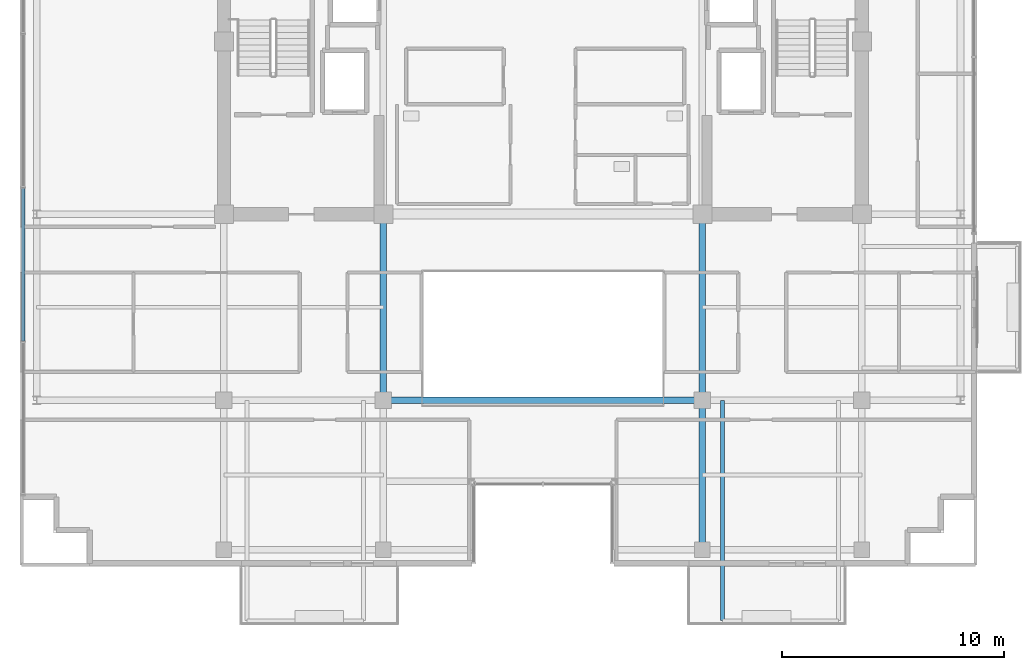
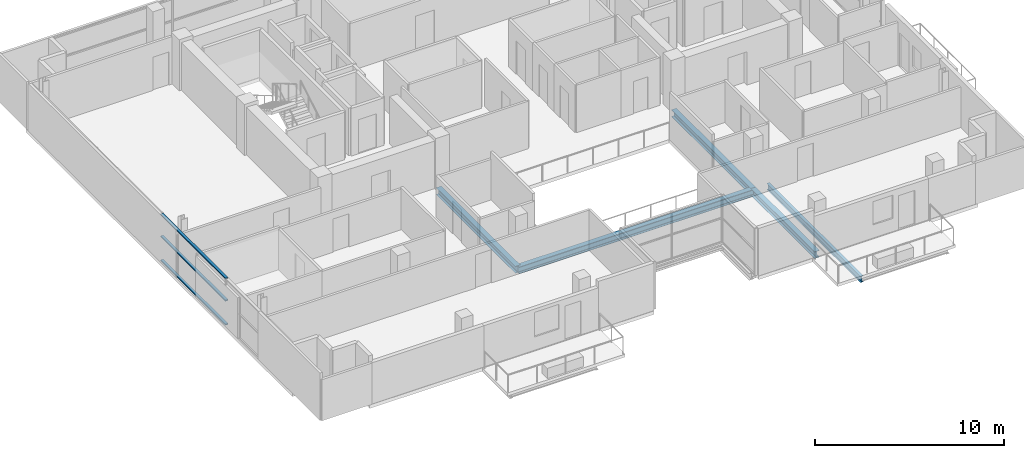
# One storey, part 8 of 23: 5 beams, 3 members, 1 element without a shape of its own.
"""IFC4 building model written with IfcOpenShell, lengths in metres."""

from ifc_helpers import new_model, si_unit, direction, frame, origin, origin_2d, place, context, subcontext, project, spatial, hollow_rectangle, i_section, extrude, source, transform, mapped, material, layer, layer_set, material_profile, profile_set, type_object, element, aggregate, save


model = new_model("IFC4")

# Units and contexts
model_context = context("Model", 3, precision=1e-05, world=origin(), true_north=direction((0.0, 1.0)))
body_context = subcontext(model_context, "Body", "Model", "MODEL_VIEW")
ifc_project = project(units=[si_unit("LENGTHUNIT", "METRE"), si_unit("AREAUNIT", "SQUARE_METRE"), si_unit("VOLUMEUNIT", "CUBIC_METRE"), si_unit("PLANEANGLEUNIT", "RADIAN"), si_unit("MASSUNIT", "GRAM", prefix="KILO")], contexts=[model_context])

# Site, building, storey
site_placement = place(None, origin())
site = spatial("IfcSite", under=ifc_project, at=site_placement, CompositionType="ELEMENT")
building_placement = place(site_placement, origin())
building = spatial("IfcBuilding", under=site, at=building_placement, Name="Zarnakvel Exchange Tower", CompositionType="ELEMENT")
storey_placement = place(building_placement, frame((0.0, 0.0, 212.199951171875)))
storey = spatial("IfcBuildingStorey", under=building, at=storey_placement, Name="L59", CompositionType="ELEMENT", Elevation=212.199951171875)

# Beams
ifc_material_1 = material(Name="Steel S355", Category="steel")
ifc_material_profile_1 = material_profile(ifc_material_1, i_section(OverallWidth=0.179931640625, OverallDepth=0.39990234375, WebThickness=0.008544921875, FlangeThickness=0.013427734375, FilletRadius=0.02099609375, at=origin_2d()))
ifc_profile_set_1 = profile_set([ifc_material_profile_1], Name="Steel S355")
beam_type_1 = type_object("IfcBeamType", Name="B-06", PredefinedType="JOIST", material=ifc_profile_set_1)
beam_1_placement = place(storey_placement, frame((8.10009765625, -9.60009765625, -0.425048828125), z_axis=(0.0, -1.0, 0.0), x_axis=(1.0, 0.0, 0.0)))
element("IfcBeam", 1, at=beam_1_placement, inside=storey, type_object=beam_type_1, Name="L59 Continuous Back-Spanned Balcony Beam W", PredefinedType="JOIST", context=body_context, shape_type="SweptSolid", body=[
    extrude(i_section(OverallWidth=0.179931640625, OverallDepth=0.39990234375, WebThickness=0.008544921875, FlangeThickness=0.013427734375, FilletRadius=0.02099609375, at=origin_2d()), origin(), (0.0, 0.0, 1.0), 9.949951171875),
])
ifc_material_profile_2 = material_profile(ifc_material_1, i_section(OverallWidth=0.300048828125, OverallDepth=0.449951171875, WebThickness=0.013916015625, FlangeThickness=0.02587890625, FilletRadius=0.027099609375, at=origin_2d()))
ifc_profile_set_2 = profile_set([ifc_material_profile_2], Name="Steel S355")
beam_type_2 = type_object("IfcBeamType", Name="G-07", PredefinedType="BEAM", material=ifc_profile_set_2)
beam_2_placement = place(storey_placement, frame((-7.199951171875, -9.60009765625, -0.449951171875), z_axis=(1.0, 0.0, 0.0), x_axis=(0.0, 1.0, 0.0)))
element("IfcBeam", 2, at=beam_2_placement, inside=storey, type_object=beam_type_2, Name="L59 Tower E-W Frame Beam", PredefinedType="BEAM", context=body_context, shape_type="SweptSolid", body=[
    extrude(i_section(OverallWidth=0.300048828125, OverallDepth=0.449951171875, WebThickness=0.013916015625, FlangeThickness=0.02587890625, FilletRadius=0.027099609375, at=origin_2d()), origin(), (0.0, 0.0, 1.0), 14.39990234375),
])
beam_3_placement = place(storey_placement, frame((-7.199951171875, -9.60009765625, -0.449951171875), z_axis=(0.0, 1.0, 0.0), x_axis=(-1.0, 0.0, 0.0)))
element("IfcBeam", 3, at=beam_3_placement, inside=storey, type_object=beam_type_2, Name="L59 Tower N-S Frame Beam", PredefinedType="BEAM", context=body_context, shape_type="SweptSolid", body=[
    extrude(i_section(OverallWidth=0.300048828125, OverallDepth=0.449951171875, WebThickness=0.013916015625, FlangeThickness=0.02587890625, FilletRadius=0.027099609375, at=origin_2d()), origin(), (0.0, 0.0, 1.0), 8.400146484375),
])
beam_4_placement = place(storey_placement, frame((7.199951171875, -16.35009765625, -0.449951171875), z_axis=(0.0, 1.0, 0.0), x_axis=(-1.0, 0.0, 0.0)))
element("IfcBeam", 4, at=beam_4_placement, inside=storey, type_object=beam_type_2, Name="L59 Tower N-S Frame Beam", PredefinedType="BEAM", context=body_context, shape_type="SweptSolid", body=[
    extrude(i_section(OverallWidth=0.300048828125, OverallDepth=0.449951171875, WebThickness=0.013916015625, FlangeThickness=0.02587890625, FilletRadius=0.027099609375, at=origin_2d()), origin(), (0.0, 0.0, 1.0), 6.75),
])
beam_5_placement = place(storey_placement, frame((7.199951171875, -9.60009765625, -0.449951171875), z_axis=(0.0, 1.0, 0.0), x_axis=(-1.0, 0.0, 0.0)))
element("IfcBeam", 5, at=beam_5_placement, inside=storey, type_object=beam_type_2, Name="L59 Tower N-S Frame Beam", PredefinedType="BEAM", context=body_context, shape_type="SweptSolid", body=[
    extrude(i_section(OverallWidth=0.300048828125, OverallDepth=0.449951171875, WebThickness=0.013916015625, FlangeThickness=0.02587890625, FilletRadius=0.027099609375, at=origin_2d()), origin(), (0.0, 0.0, 1.0), 8.400146484375),
])

# Curtain wall, members
ifc_material_2 = material(Name="Architectural Bronze Anodised Aluminium", Category="aluminium")
ifc_layer = layer(ifc_material_2, 0.199951171875)
ifc_layer_set = layer_set([ifc_layer], Name="Architectural Bronze Anodised Aluminium")
curtain_wall_type = type_object("IfcCurtainWallType", Name="CW-04", PredefinedType="NOTDEFINED", material=ifc_layer_set)
curtain_wall_placement = place(storey_placement, origin())
curtain_wall = element("IfcCurtainWall", 6, at=curtain_wall_placement, inside=storey, type_object=curtain_wall_type, Name="L59 Curtain Wall CW-L59-W1 (CW-04)", PredefinedType="NOTDEFINED")
ifc_material_profile_3 = material_profile(ifc_material_2, hollow_rectangle(XDim=0.159912109375, YDim=0.074951171875, WallThickness=0.00390625, at=origin_2d()))
ifc_profile_set_3 = profile_set([ifc_material_profile_3], Name="Architectural Bronze Anodised Aluminium")
member_type = type_object("IfcMemberType", Name="CWT-04", PredefinedType="USERDEFINED", material=ifc_profile_set_3)
shared_shape = source(origin(), body_context, "Body", "SweptSolid", [
    extrude(hollow_rectangle(XDim=0.159912109375, YDim=0.074951171875, WallThickness=0.00390625, at=origin_2d()), origin(), (0.0, 0.0, 1.0), 6.875),
])
member_1_placement = place(storey_placement, frame((-23.4599609375, -6.91259765625, 0.03759765625), z_axis=(0.0, 1.0, 0.0), x_axis=(-1.0, 0.0, 0.0)))
member_1 = element("IfcMember", 7, at=member_1_placement, type_object=member_type, Name="CW-04 transom 2.1", ObjectType="TRANSOM", PredefinedType="USERDEFINED", context=body_context, shape_type="MappedRepresentation", body=[
    mapped(shared_shape, transform((0.0, 0.0, 0.0), x_axis=(1.0, 0.0, 0.0), y_axis=(0.0, 1.0, 0.0), z_axis=(0.0, 0.0, 1.0), scale=1.0)),
])
member_2_placement = place(storey_placement, frame((-23.4599609375, -6.91259765625, 1.588623046875), z_axis=(0.0, 1.0, 0.0), x_axis=(-1.0, 0.0, 0.0)))
member_2 = element("IfcMember", 8, at=member_2_placement, type_object=member_type, Name="CW-04 transom 2.2", ObjectType="TRANSOM", PredefinedType="USERDEFINED", context=body_context, shape_type="MappedRepresentation", body=[
    mapped(shared_shape, transform((0.0, 0.0, 0.0), x_axis=(1.0, 0.0, 0.0), y_axis=(0.0, 1.0, 0.0), z_axis=(0.0, 0.0, 1.0), scale=1.0)),
])
member_3_placement = place(storey_placement, frame((-23.4599609375, -6.91259765625, 3.017578125), z_axis=(0.0, 1.0, 0.0), x_axis=(-1.0, 0.0, 0.0)))
member_3 = element("IfcMember", 9, at=member_3_placement, type_object=member_type, Name="CW-04 transom 2.3", ObjectType="TRANSOM", PredefinedType="USERDEFINED", context=body_context, shape_type="MappedRepresentation", body=[
    mapped(shared_shape, transform((0.0, 0.0, 0.0), x_axis=(1.0, 0.0, 0.0), y_axis=(0.0, 1.0, 0.0), z_axis=(0.0, 0.0, 1.0), scale=1.0)),
])
aggregate(curtain_wall, [member_1, member_2, member_3])

save(model, "model.ifc")
